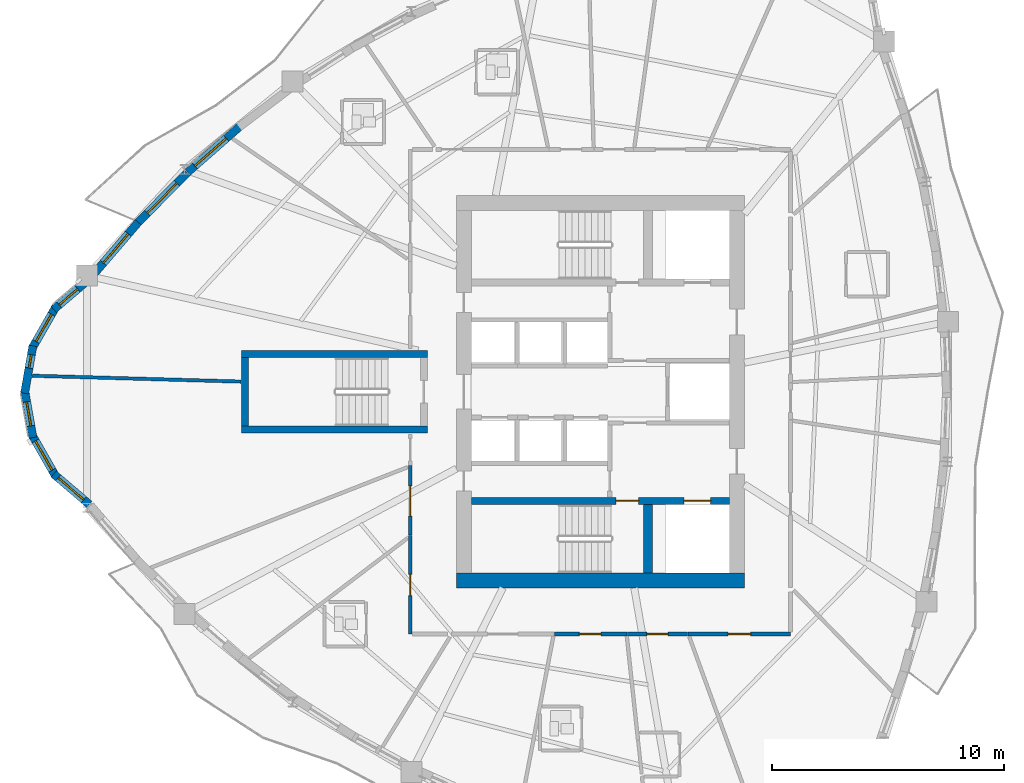
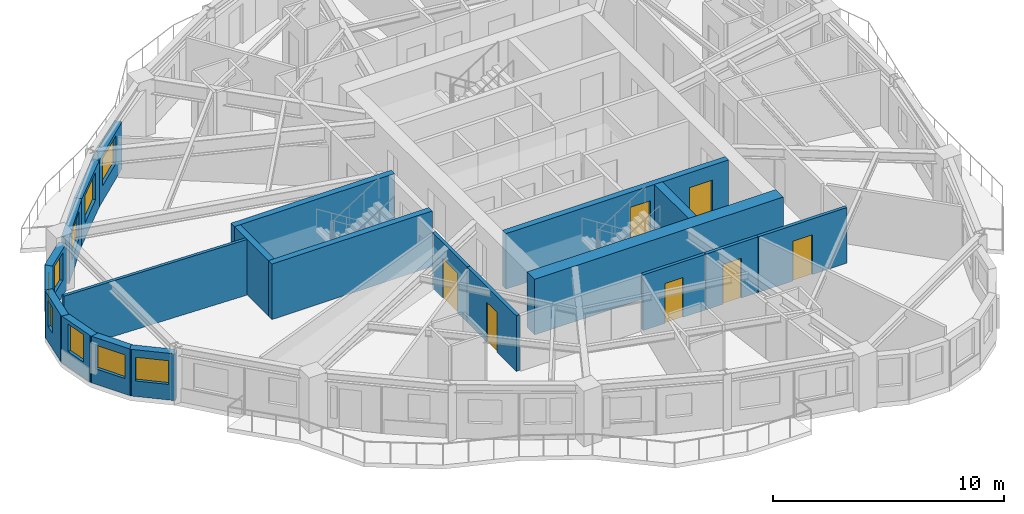
# One storey, part 4 of 12: 21 walls, 9 windows, 7 doors, 16 openings.
"""IFC4 building model written with IfcOpenShell, lengths in metres."""

from ifc_helpers import new_model, si_unit, direction, frame, frame_2d, origin, place, context, subcontext, project, spatial, rectangle, extrude, source, transform, mapped, material, layer, layer_set, type_object, element, fill, save


model = new_model("IFC4")

# Units and contexts
model_context = context("Model", 3, precision=1e-05, world=origin(), true_north=direction((0.0, 1.0)))
body_context = subcontext(model_context, "Body", "Model", "MODEL_VIEW")
ifc_project = project(units=[si_unit("LENGTHUNIT", "METRE"), si_unit("AREAUNIT", "SQUARE_METRE"), si_unit("VOLUMEUNIT", "CUBIC_METRE"), si_unit("PLANEANGLEUNIT", "RADIAN"), si_unit("MASSUNIT", "GRAM", prefix="KILO")], contexts=[model_context])

# Site, building, storey
site_placement = place(None, origin())
site = spatial("IfcSite", under=ifc_project, at=site_placement, CompositionType="ELEMENT")
building_placement = place(site_placement, origin())
building = spatial("IfcBuilding", under=site, at=building_placement, Name="Qafzar Sky-Pleat Residences", CompositionType="ELEMENT")
storey_placement = place(building_placement, frame((0.0, 0.0, 76.800048828125)))
storey = spatial("IfcBuildingStorey", under=building, at=storey_placement, Name="L22", CompositionType="ELEMENT", Elevation=76.800048828125)

# Wall, opening, door
ifc_material_1 = material(Name="Acoustic gypsum plasterboard partition", Category="gypsum")
ifc_layer_1 = layer(ifc_material_1, 0.159912109375)
ifc_layer_set_1 = layer_set([ifc_layer_1], Name="Acoustic gypsum plasterboard partition")
wall_type_1 = type_object("IfcWallType", Name="PART-COR-160", PredefinedType="PARTITIONING", material=ifc_layer_set_1)
wall_1_placement = place(storey_placement, frame((38.530029296875, 15.570068359375, 0.0), z_axis=(0.0, 0.0, 1.0), x_axis=(-1.0, 0.0, 0.0)))
wall_1 = element("IfcWall", 1, at=wall_1_placement, inside=storey, type_object=wall_type_1, Name="L22 Partition Wall PART-L22-PW-006", PredefinedType="PARTITIONING", context=body_context, shape_type="SweptSolid", body=[
    extrude(rectangle(XDim=4.412109375, YDim=0.159912109375, at=frame_2d((2.2060546875, 0.0))), origin(), (0.0, 0.0, 1.0), 2.93505859375),
])
opening_1_placement = place(wall_1_placement, frame((1.718017578125, 0.0, 0.0)))
opening_1 = element("IfcOpeningElement", 2, at=opening_1_placement, cuts=wall_1, Name="Opening ID-06", PredefinedType="OPENING", context=body_context, shape_type="SweptSolid", body=[
    extrude(rectangle(XDim=0.9599609375, YDim=2.10009765625, at=frame_2d((0.47998046875, 1.050048828125))), frame((0.0, 0.08984375, 0.0), z_axis=(0.0, -1.0, 0.0), x_axis=(1.0, 0.0, 0.0)), (0.0, 0.0, 1.0), 0.179931640625),
])
ifc_material_2 = material(Name="Timber-faced fire door", Category="wood")
door_type_1 = type_object("IfcDoorType", Name="DR-STD-960", OperationType="NOTDEFINED", PredefinedType="DOOR", material=ifc_material_2)
shared_shape_1 = source(origin(), body_context, "Body", "SweptSolid", [
    extrude(rectangle(XDim=0.9599609375, YDim=2.10009765625, at=frame_2d((0.47998046875, 1.050048828125))), frame((0.0, 0.02490234375, 0.0), z_axis=(0.0, -1.0, 0.0), x_axis=(1.0, 0.0, 0.0)), (0.0, 0.0, 1.0), 0.050048828125),
])
door_1_placement = place(opening_1_placement, origin())
door_1 = element("IfcDoor", 3, at=door_1_placement, inside=storey, type_object=door_type_1, Name="L22 Graduate Desk Workspace Door", OperationType="SINGLE_SWING_RIGHT", OverallHeight=2.10009765625, OverallWidth=0.9599609375, PredefinedType="DOOR", context=body_context, shape_type="MappedRepresentation", body=[
    mapped(shared_shape_1, transform((0.0, 0.0, 0.0), x_axis=(1.0, 0.0, 0.0), y_axis=(0.0, 1.0, 0.0), z_axis=(0.0, 0.0, 1.0), scale=1.0)),
])
fill(opening_1, door_1)

wall_2_placement = place(storey_placement, frame((22.169921875, 15.570068359375, 0.0), z_axis=(0.0, 0.0, 1.0), x_axis=(0.0, 1.0, 0.0)))
wall_2 = element("IfcWall", 4, at=wall_2_placement, inside=storey, type_object=wall_type_1, Name="L22 Partition Wall PART-L22-PW-007", PredefinedType="PARTITIONING", context=body_context, shape_type="SweptSolid", body=[
    extrude(rectangle(XDim=4.238037109375, YDim=0.159912109375, at=frame_2d((2.119140625, 0.0))), origin(), (0.0, 0.0, 1.0), 2.93505859375),
])
opening_2_placement = place(wall_2_placement, frame((1.6494140625, 0.0, 0.0)))
opening_2 = element("IfcOpeningElement", 5, at=opening_2_placement, cuts=wall_2, Name="Opening ID-04", PredefinedType="OPENING", context=body_context, shape_type="SweptSolid", body=[
    extrude(rectangle(XDim=0.919921875, YDim=2.10009765625, at=frame_2d((0.4599609375, 1.050048828125))), frame((0.0, 0.08984375, 0.0), z_axis=(0.0, -1.0, 0.0), x_axis=(1.0, 0.0, 0.0)), (0.0, 0.0, 1.0), 0.179931640625),
])
door_type_2 = type_object("IfcDoorType", Name="DR-BED-920", OperationType="NOTDEFINED", PredefinedType="DOOR", material=ifc_material_2)
shared_shape_2 = source(origin(), body_context, "Body", "SweptSolid", [
    extrude(rectangle(XDim=0.919921875, YDim=2.10009765625, at=frame_2d((0.4599609375, 1.050048828125))), frame((0.0, 0.02490234375, 0.0), z_axis=(0.0, -1.0, 0.0), x_axis=(1.0, 0.0, 0.0)), (0.0, 0.0, 1.0), 0.050048828125),
])
door_2_placement = place(opening_2_placement, origin())
door_2 = element("IfcDoor", 6, at=door_2_placement, inside=storey, type_object=door_type_2, Name="L22 Co-Living Bedroom 5 Door", OperationType="SINGLE_SWING_LEFT", OverallHeight=2.10009765625, OverallWidth=0.919921875, PredefinedType="DOOR", context=body_context, shape_type="MappedRepresentation", body=[
    mapped(shared_shape_2, transform((0.0, 0.0, 0.0), x_axis=(1.0, 0.0, 0.0), y_axis=(0.0, 1.0, 0.0), z_axis=(0.0, 0.0, 1.0), scale=1.0)),
])
fill(opening_2, door_2)

wall_3_placement = place(storey_placement, frame((31.491943359375, 15.570068359375, 0.0), z_axis=(0.0, 0.0, 1.0), x_axis=(-1.0, 0.0, 0.0)))
wall_3 = element("IfcWall", 7, at=wall_3_placement, inside=storey, type_object=wall_type_1, Name="L22 Partition Wall PART-L22-PW-010", PredefinedType="PARTITIONING", context=body_context, shape_type="SweptSolid", body=[
    extrude(rectangle(XDim=3.117919921875, YDim=0.159912109375, at=frame_2d((1.55908203125, 0.0))), origin(), (0.0, 0.0, 1.0), 2.93505859375),
])
opening_3_placement = place(wall_3_placement, frame((1.12158203125, 0.0, 0.0)))
opening_3 = element("IfcOpeningElement", 8, at=opening_3_placement, cuts=wall_3, Name="Opening ID-04", PredefinedType="OPENING", context=body_context, shape_type="SweptSolid", body=[
    extrude(rectangle(XDim=0.919921875, YDim=2.10009765625, at=frame_2d((0.4599609375, 1.050048828125))), frame((0.0, 0.08984375, 0.0), z_axis=(0.0, -1.0, 0.0), x_axis=(1.0, 0.0, 0.0)), (0.0, 0.0, 1.0), 0.179931640625),
])
door_3_placement = place(opening_3_placement, origin())
door_3 = element("IfcDoor", 9, at=door_3_placement, inside=storey, type_object=door_type_2, Name="L22 Co-Living Bedroom 6 Door", OperationType="SINGLE_SWING_RIGHT", OverallHeight=2.10009765625, OverallWidth=0.919921875, PredefinedType="DOOR", context=body_context, shape_type="MappedRepresentation", body=[
    mapped(shared_shape_2, transform((0.0, 0.0, 0.0), x_axis=(1.0, 0.0, 0.0), y_axis=(0.0, 1.0, 0.0), z_axis=(0.0, 0.0, 1.0), scale=1.0)),
])
fill(opening_3, door_3)

wall_4_placement = place(storey_placement, frame((22.169921875, 19.822998046875, 0.0), z_axis=(0.0, 0.0, 1.0), x_axis=(0.0, 1.0, 0.0)))
wall_4 = element("IfcWall", 10, at=wall_4_placement, inside=storey, type_object=wall_type_1, Name="L22 Partition Wall PART-L22-PW-012", PredefinedType="PARTITIONING", context=body_context, shape_type="SweptSolid", body=[
    extrude(rectangle(XDim=2.990966796875, YDim=0.159912109375, at=frame_2d((1.49560546875, 0.0))), origin(), (0.0, 0.0, 1.0), 2.93505859375),
])
opening_4_placement = place(wall_4_placement, frame((0.820556640625, 0.0, 0.0)))
opening_4 = element("IfcOpeningElement", 11, at=opening_4_placement, cuts=wall_4, Name="Opening ID-05", PredefinedType="OPENING", context=body_context, shape_type="SweptSolid", body=[
    extrude(rectangle(XDim=1.300048828125, YDim=2.10009765625, at=frame_2d((0.64990234375, 1.050048828125))), frame((0.0, 0.08984375, 0.0), z_axis=(0.0, -1.0, 0.0), x_axis=(1.0, 0.0, 0.0)), (0.0, 0.0, 1.0), 0.179931640625),
])
door_type_3 = type_object("IfcDoorType", Name="DR-LNG-1300", OperationType="DOUBLE_DOOR_SINGLE_SWING", PredefinedType="DOOR", material=ifc_material_2)
shared_shape_3 = source(origin(), body_context, "Body", "SweptSolid", [
    extrude(rectangle(XDim=1.300048828125, YDim=2.10009765625, at=frame_2d((0.64990234375, 1.050048828125))), frame((0.0, 0.02490234375, 0.0), z_axis=(0.0, -1.0, 0.0), x_axis=(1.0, 0.0, 0.0)), (0.0, 0.0, 1.0), 0.050048828125),
])
door_4_placement = place(opening_4_placement, origin())
door_4 = element("IfcDoor", 12, at=door_4_placement, inside=storey, type_object=door_type_3, Name="L22 Common Dining Room Door", OperationType="DOUBLE_DOOR_SINGLE_SWING", OverallHeight=2.10009765625, OverallWidth=1.300048828125, PredefinedType="DOOR", context=body_context, shape_type="MappedRepresentation", body=[
    mapped(shared_shape_3, transform((0.0, 0.0, 0.0), x_axis=(1.0, 0.0, 0.0), y_axis=(0.0, 1.0, 0.0), z_axis=(0.0, 0.0, 1.0), scale=1.0)),
])
fill(opening_4, door_4)

wall_5_placement = place(storey_placement, frame((34.10302734375, 15.570068359375, 0.0), z_axis=(0.0, 0.0, 1.0), x_axis=(-1.0, 0.0, 0.0)))
wall_5 = element("IfcWall", 13, at=wall_5_placement, inside=storey, type_object=wall_type_1, Name="L22 Partition Wall PART-L22-PW-013", PredefinedType="PARTITIONING", context=body_context, shape_type="SweptSolid", body=[
    extrude(rectangle(XDim=2.595947265625, YDim=0.159912109375, at=frame_2d((1.2978515625, 0.0))), origin(), (0.0, 0.0, 1.0), 2.93505859375),
])
opening_5_placement = place(wall_5_placement, frame((0.83740234375, 0.0, 0.0)))
opening_5 = element("IfcOpeningElement", 14, at=opening_5_placement, cuts=wall_5, Name="Opening ID-04", PredefinedType="OPENING", context=body_context, shape_type="SweptSolid", body=[
    extrude(rectangle(XDim=0.919921875, YDim=2.10009765625, at=frame_2d((0.4599609375, 1.050048828125))), frame((0.0, 0.08984375, 0.0), z_axis=(0.0, -1.0, 0.0), x_axis=(1.0, 0.0, 0.0)), (0.0, 0.0, 1.0), 0.179931640625),
])
door_5_placement = place(opening_5_placement, origin())
door_5 = element("IfcDoor", 15, at=door_5_placement, inside=storey, type_object=door_type_2, Name="L22 Co-Living Bedroom 7 Door", OperationType="SINGLE_SWING_LEFT", OverallHeight=2.10009765625, OverallWidth=0.919921875, PredefinedType="DOOR", context=body_context, shape_type="MappedRepresentation", body=[
    mapped(shared_shape_2, transform((0.0, 0.0, 0.0), x_axis=(1.0, 0.0, 0.0), y_axis=(0.0, 1.0, 0.0), z_axis=(0.0, 0.0, 1.0), scale=1.0)),
])
fill(opening_5, door_5)

# Wall
ifc_layer_2 = layer(ifc_material_1, 0.14501953125)
ifc_layer_set_2 = layer_set([ifc_layer_2], Name="Acoustic gypsum plasterboard partition")
wall_type_2 = type_object("IfcWallType", Name="PART-UNIT-145", PredefinedType="PARTITIONING", material=ifc_layer_set_2)
wall_6_placement = place(storey_placement, frame((5.8955078125, 26.688232421875, 0.0), z_axis=(0.0, 0.0, 1.0), x_axis=(0.999604843423, -0.028109731489, 0.0)))
element("IfcWall", 16, at=wall_6_placement, inside=storey, type_object=wall_type_2, Name="L22 Partition Wall PART-L22-PW-030", PredefinedType="PARTITIONING", context=body_context, shape_type="SweptSolid", body=[
    extrude(rectangle(XDim=8.998046875, YDim=0.14501953125, at=frame_2d((4.4990234375, 0.0))), origin(), (0.0, 0.0, 1.0), 2.93505859375),
])

# Wall, opening, window
ifc_material_3 = material(Name="Precast concrete C40/50 with honed Riyadh limestone", Category="concrete")
ifc_layer_3 = layer(ifc_material_3, 0.35009765625)
ifc_layer_set_3 = layer_set([ifc_layer_3], Name="Precast concrete C40/50 with honed Riyadh limestone")
wall_type_3 = type_object("IfcWallType", Name="WALL-EXT-350", PredefinedType="SOLIDWALL", material=ifc_layer_set_3)
wall_7_placement = place(storey_placement, frame((8.197998046875, 30.71728515625, 0.0), z_axis=(0.0, 0.0, 1.0), x_axis=(-0.761176639947, -0.648544618973, 0.0)))
wall_7 = element("IfcWall", 17, at=wall_7_placement, inside=storey, type_object=wall_type_3, Name="L22 Limestone Facade Wall 1", PredefinedType="SOLIDWALL", context=body_context, shape_type="SweptSolid", body=[
    extrude(rectangle(XDim=1.81005859375, YDim=0.35009765625, at=frame_2d((0.905029296875, 0.0))), origin(), (0.0, 0.0, 1.0), 2.46484375),
])
opening_6_placement = place(wall_7_placement, frame((0.455078125, 0.0, 0.820068359375)))
opening_6 = element("IfcOpeningElement", 18, at=opening_6_placement, cuts=wall_7, Name="Opening WN-06", PredefinedType="OPENING", context=body_context, shape_type="SweptSolid", body=[
    extrude(rectangle(XDim=1.050048828125, YDim=1.449951171875, at=frame_2d((0.52490234375, 0.72509765625))), frame((0.0, 0.18505859375, 0.0), z_axis=(0.0, -1.0, 0.0), x_axis=(1.0, 0.0, 0.0)), (0.0, 0.0, 1.0), 0.3701171875),
])
ifc_material_4 = material(Name="Solar-control low-E glass in bronze aluminium frame", Category="glass")
window_type_1 = type_object("IfcWindowType", Name="WIN-06", PartitioningType="SINGLE_PANEL", PredefinedType="WINDOW", material=ifc_material_4)
shared_shape_4 = source(origin(), body_context, "Body", "SweptSolid", [
    extrude(rectangle(XDim=1.050048828125, YDim=1.449951171875, at=frame_2d((0.52490234375, 0.72509765625))), frame((0.0, 0.030029296875, 0.0), z_axis=(0.0, -1.0, 0.0), x_axis=(1.0, 0.0, 0.0)), (0.0, 0.0, 1.0), 0.06005859375),
])
window_1_placement = place(opening_6_placement, origin())
window_1 = element("IfcWindow", 19, at=window_1_placement, inside=storey, type_object=window_type_1, Name="L22 Punched Facade Window 01", OverallHeight=1.449951171875, OverallWidth=1.050048828125, PartitioningType="SINGLE_PANEL", PredefinedType="WINDOW", context=body_context, shape_type="MappedRepresentation", body=[
    mapped(shared_shape_4, transform((0.0, 0.0, 0.0), x_axis=(1.0, 0.0, 0.0), y_axis=(0.0, 1.0, 0.0), z_axis=(0.0, 0.0, 1.0), scale=1.0)),
])
fill(opening_6, window_1)

wall_8_placement = place(storey_placement, frame((6.906494140625, 29.6474609375, 0.0), z_axis=(0.0, 0.0, 1.0), x_axis=(-0.496037473582, -0.868301114132, 0.0)))
wall_8 = element("IfcWall", 20, at=wall_8_placement, inside=storey, type_object=wall_type_3, Name="L22 Limestone Facade Wall 2", PredefinedType="SOLIDWALL", context=body_context, shape_type="SweptSolid", body=[
    extrude(rectangle(XDim=2.072998046875, YDim=0.35009765625, at=frame_2d((1.03662109375, 0.0))), origin(), (0.0, 0.0, 1.0), 2.46484375),
])
opening_7_placement = place(wall_8_placement, frame((0.361572265625, 0.0, 0.820068359375)))
opening_7 = element("IfcOpeningElement", 21, at=opening_7_placement, cuts=wall_8, Name="Opening WN-04", PredefinedType="OPENING", context=body_context, shape_type="SweptSolid", body=[
    extrude(rectangle(XDim=1.35009765625, YDim=1.449951171875, at=frame_2d((0.675048828125, 0.72509765625))), frame((0.0, 0.18505859375, 0.0), z_axis=(0.0, -1.0, 0.0), x_axis=(1.0, 0.0, 0.0)), (0.0, 0.0, 1.0), 0.3701171875),
])
window_type_2 = type_object("IfcWindowType", Name="WIN-04", PartitioningType="SINGLE_PANEL", PredefinedType="WINDOW", material=ifc_material_4)
shared_shape_5 = source(origin(), body_context, "Body", "SweptSolid", [
    extrude(rectangle(XDim=1.35009765625, YDim=1.449951171875, at=frame_2d((0.675048828125, 0.72509765625))), frame((0.0, 0.030029296875, 0.0), z_axis=(0.0, -1.0, 0.0), x_axis=(1.0, 0.0, 0.0)), (0.0, 0.0, 1.0), 0.06005859375),
])
window_2_placement = place(opening_7_placement, origin())
window_2 = element("IfcWindow", 22, at=window_2_placement, inside=storey, type_object=window_type_2, Name="L22 Punched Facade Window 02", OverallHeight=1.449951171875, OverallWidth=1.35009765625, PartitioningType="SINGLE_PANEL", PredefinedType="WINDOW", context=body_context, shape_type="MappedRepresentation", body=[
    mapped(shared_shape_5, transform((0.0, 0.0, 0.0), x_axis=(1.0, 0.0, 0.0), y_axis=(0.0, 1.0, 0.0), z_axis=(0.0, 0.0, 1.0), scale=1.0)),
])
fill(opening_7, window_2)

wall_9_placement = place(storey_placement, frame((5.923828125, 27.974609375, 0.0), z_axis=(0.0, 0.0, 1.0), x_axis=(-0.172166087538, -0.985067935881, 0.0)))
wall_9 = element("IfcWall", 23, at=wall_9_placement, inside=storey, type_object=wall_type_3, Name="L22 Limestone Facade Wall 3", PredefinedType="SOLIDWALL", context=body_context, shape_type="SweptSolid", body=[
    extrude(rectangle(XDim=2.0732421875, YDim=0.35009765625, at=frame_2d((1.03662109375, 0.0))), origin(), (0.0, 0.0, 1.0), 2.46484375),
])
opening_8_placement = place(wall_9_placement, frame((0.387939453125, 0.0, 0.820068359375)))
opening_8 = element("IfcOpeningElement", 24, at=opening_8_placement, cuts=wall_9, Name="Opening WN-17", PredefinedType="OPENING", context=body_context, shape_type="SweptSolid", body=[
    extrude(rectangle(XDim=0.580078125, YDim=1.35009765625, at=frame_2d((0.2900390625, 0.675048828125))), frame((0.0, 0.18505859375, 0.0), z_axis=(0.0, -1.0, 0.0), x_axis=(1.0, 0.0, 0.0)), (0.0, 0.0, 1.0), 0.3701171875),
])
window_type_3 = type_object("IfcWindowType", Name="WIN-17", PartitioningType="SINGLE_PANEL", PredefinedType="WINDOW", material=ifc_material_4)
shared_shape_6 = source(origin(), body_context, "Body", "SweptSolid", [
    extrude(rectangle(XDim=0.580078125, YDim=1.35009765625, at=frame_2d((0.2900390625, 0.675048828125))), frame((0.0, 0.030029296875, 0.0), z_axis=(0.0, -1.0, 0.0), x_axis=(1.0, 0.0, 0.0)), (0.0, 0.0, 1.0), 0.06005859375),
])
window_3_placement = place(opening_8_placement, origin())
window_3 = element("IfcWindow", 25, at=window_3_placement, inside=storey, type_object=window_type_3, Name="L22 Punched Facade Window 03", OverallHeight=1.35009765625, OverallWidth=0.580078125, PartitioningType="SINGLE_PANEL", PredefinedType="WINDOW", context=body_context, shape_type="MappedRepresentation", body=[
    mapped(shared_shape_6, transform((0.0, 0.0, 0.0), x_axis=(1.0, 0.0, 0.0), y_axis=(0.0, 1.0, 0.0), z_axis=(0.0, 0.0, 1.0), scale=1.0)),
])
fill(opening_8, window_3)

wall_10_placement = place(storey_placement, frame((5.56689453125, 26.067626953125, 0.0), z_axis=(0.0, 0.0, 1.0), x_axis=(0.172166087538, -0.985067935881, 0.0)))
wall_10 = element("IfcWall", 26, at=wall_10_placement, inside=storey, type_object=wall_type_3, Name="L22 Limestone Facade Wall 4", PredefinedType="SOLIDWALL", context=body_context, shape_type="SweptSolid", body=[
    extrude(rectangle(XDim=2.0732421875, YDim=0.35009765625, at=frame_2d((1.03662109375, 0.0))), origin(), (0.0, 0.0, 1.0), 2.46484375),
])
opening_9_placement = place(wall_10_placement, frame((0.511474609375, 0.0, 0.820068359375)))
opening_9 = element("IfcOpeningElement", 27, at=opening_9_placement, cuts=wall_10, Name="Opening WN-06", PredefinedType="OPENING", context=body_context, shape_type="SweptSolid", body=[
    extrude(rectangle(XDim=1.050048828125, YDim=1.449951171875, at=frame_2d((0.52490234375, 0.72509765625))), frame((0.0, 0.18505859375, 0.0), z_axis=(0.0, -1.0, 0.0), x_axis=(1.0, 0.0, 0.0)), (0.0, 0.0, 1.0), 0.3701171875),
])
window_4_placement = place(opening_9_placement, origin())
window_4 = element("IfcWindow", 28, at=window_4_placement, inside=storey, type_object=window_type_1, Name="L22 Punched Facade Window 04", OverallHeight=1.449951171875, OverallWidth=1.050048828125, PartitioningType="SINGLE_PANEL", PredefinedType="WINDOW", context=body_context, shape_type="MappedRepresentation", body=[
    mapped(shared_shape_4, transform((0.0, 0.0, 0.0), x_axis=(1.0, 0.0, 0.0), y_axis=(0.0, 1.0, 0.0), z_axis=(0.0, 0.0, 1.0), scale=1.0)),
])
fill(opening_9, window_4)

wall_11_placement = place(storey_placement, frame((5.878173828125, 24.152587890625, 0.0), z_axis=(0.0, 0.0, 1.0), x_axis=(0.496037473582, -0.868301114132, 0.0)))
wall_11 = element("IfcWall", 29, at=wall_11_placement, inside=storey, type_object=wall_type_3, Name="L22 Limestone Facade Wall 5", PredefinedType="SOLIDWALL", context=body_context, shape_type="SweptSolid", body=[
    extrude(rectangle(XDim=2.072998046875, YDim=0.35009765625, at=frame_2d((1.03662109375, 0.0))), origin(), (0.0, 0.0, 1.0), 2.46484375),
])
opening_10_placement = place(wall_11_placement, frame((0.3115234375, 0.0, 0.820068359375)))
opening_10 = element("IfcOpeningElement", 30, at=opening_10_placement, cuts=wall_11, Name="Opening WN-15", PredefinedType="OPENING", context=body_context, shape_type="SweptSolid", body=[
    extrude(rectangle(XDim=1.449951171875, YDim=1.25, at=frame_2d((0.72509765625, 0.625))), frame((0.0, 0.18505859375, 0.0), z_axis=(0.0, -1.0, 0.0), x_axis=(1.0, 0.0, 0.0)), (0.0, 0.0, 1.0), 0.3701171875),
])
window_type_4 = type_object("IfcWindowType", Name="WIN-15", PartitioningType="SINGLE_PANEL", PredefinedType="WINDOW", material=ifc_material_4)
shared_shape_7 = source(origin(), body_context, "Body", "SweptSolid", [
    extrude(rectangle(XDim=1.449951171875, YDim=1.25, at=frame_2d((0.72509765625, 0.625))), frame((0.0, 0.030029296875, 0.0), z_axis=(0.0, -1.0, 0.0), x_axis=(1.0, 0.0, 0.0)), (0.0, 0.0, 1.0), 0.06005859375),
])
window_5_placement = place(opening_10_placement, origin())
window_5 = element("IfcWindow", 31, at=window_5_placement, inside=storey, type_object=window_type_4, Name="L22 Punched Facade Window 05", OverallHeight=1.25, OverallWidth=1.449951171875, PartitioningType="SINGLE_PANEL", PredefinedType="WINDOW", context=body_context, shape_type="MappedRepresentation", body=[
    mapped(shared_shape_7, transform((0.0, 0.0, 0.0), x_axis=(1.0, 0.0, 0.0), y_axis=(0.0, 1.0, 0.0), z_axis=(0.0, 0.0, 1.0), scale=1.0)),
])
fill(opening_10, window_5)

wall_12_placement = place(storey_placement, frame((6.8203125, 22.45654296875, 0.0), z_axis=(0.0, 0.0, 1.0), x_axis=(0.76114353683, -0.648583469063, 0.0)))
wall_12 = element("IfcWall", 32, at=wall_12_placement, inside=storey, type_object=wall_type_3, Name="L22 Limestone Facade Wall 6", PredefinedType="SOLIDWALL", context=body_context, shape_type="SweptSolid", body=[
    extrude(rectangle(XDim=2.014892578125, YDim=0.35009765625, at=frame_2d((1.00732421875, 0.0))), origin(), (0.0, 0.0, 1.0), 2.46484375),
])
opening_11_placement = place(wall_12_placement, frame((0.25244140625, 0.0, 0.820068359375)))
opening_11 = element("IfcOpeningElement", 33, at=opening_11_placement, cuts=wall_12, Name="Opening WN-15", PredefinedType="OPENING", context=body_context, shape_type="SweptSolid", body=[
    extrude(rectangle(XDim=1.449951171875, YDim=1.25, at=frame_2d((0.72509765625, 0.625))), frame((0.0, 0.18505859375, 0.0), z_axis=(0.0, -1.0, 0.0), x_axis=(1.0, 0.0, 0.0)), (0.0, 0.0, 1.0), 0.3701171875),
])
window_6_placement = place(opening_11_placement, origin())
window_6 = element("IfcWindow", 34, at=window_6_placement, inside=storey, type_object=window_type_4, Name="L22 Punched Facade Window 06", OverallHeight=1.25, OverallWidth=1.449951171875, PartitioningType="SINGLE_PANEL", PredefinedType="WINDOW", context=body_context, shape_type="MappedRepresentation", body=[
    mapped(shared_shape_7, transform((0.0, 0.0, 0.0), x_axis=(1.0, 0.0, 0.0), y_axis=(0.0, 1.0, 0.0), z_axis=(0.0, 0.0, 1.0), scale=1.0)),
])
fill(opening_11, window_6)

wall_13_placement = place(storey_placement, frame((14.864990234375, 37.44970703125, 0.0), z_axis=(0.0, 0.0, 1.0), x_axis=(-0.751505335107, -0.659727012715, 0.0)))
wall_13 = element("IfcWall", 35, at=wall_13_placement, inside=storey, type_object=wall_type_3, Name="L22 Limestone Facade Wall 46", PredefinedType="SOLIDWALL", context=body_context, shape_type="SweptSolid", body=[
    extrude(rectangle(XDim=3.037841796875, YDim=0.35009765625, at=frame_2d((1.51904296875, 0.0))), origin(), (0.0, 0.0, 1.0), 2.46484375),
])
opening_12_placement = place(wall_13_placement, frame((0.826416015625, 0.0, 0.820068359375)))
opening_12 = element("IfcOpeningElement", 36, at=opening_12_placement, cuts=wall_13, Name="Opening WN-01", PredefinedType="OPENING", context=body_context, shape_type="SweptSolid", body=[
    extrude(rectangle(XDim=1.800048828125, YDim=1.449951171875, at=frame_2d((0.89990234375, 0.72509765625))), frame((0.0, 0.18505859375, 0.0), z_axis=(0.0, -1.0, 0.0), x_axis=(1.0, 0.0, 0.0)), (0.0, 0.0, 1.0), 0.3701171875),
])
window_type_5 = type_object("IfcWindowType", Name="WIN-01", PartitioningType="DOUBLE_PANEL_VERTICAL", PredefinedType="WINDOW", material=ifc_material_4)
shared_shape_8 = source(origin(), body_context, "Body", "SweptSolid", [
    extrude(rectangle(XDim=1.800048828125, YDim=1.449951171875, at=frame_2d((0.89990234375, 0.72509765625))), frame((0.0, 0.030029296875, 0.0), z_axis=(0.0, -1.0, 0.0), x_axis=(1.0, 0.0, 0.0)), (0.0, 0.0, 1.0), 0.06005859375),
])
window_7_placement = place(opening_12_placement, origin())
window_7 = element("IfcWindow", 37, at=window_7_placement, inside=storey, type_object=window_type_5, Name="L22 Punched Facade Window 46-2", OverallHeight=1.449951171875, OverallWidth=1.800048828125, PartitioningType="SINGLE_PANEL", PredefinedType="WINDOW", context=body_context, shape_type="MappedRepresentation", body=[
    mapped(shared_shape_8, transform((0.0, 0.0, 0.0), x_axis=(1.0, 0.0, 0.0), y_axis=(0.0, 1.0, 0.0), z_axis=(0.0, 0.0, 1.0), scale=1.0)),
])
fill(opening_12, window_7)

wall_14_placement = place(storey_placement, frame((12.56201171875, 35.4267578125, 0.0), z_axis=(0.0, 0.0, 1.0), x_axis=(-0.701949387032, -0.712226830473, 0.0)))
wall_14 = element("IfcWall", 38, at=wall_14_placement, inside=storey, type_object=wall_type_3, Name="L22 Limestone Facade Wall 47", PredefinedType="SOLIDWALL", context=body_context, shape_type="SweptSolid", body=[
    extrude(rectangle(XDim=3.088134765625, YDim=0.35009765625, at=frame_2d((1.5439453125, 0.0))), origin(), (0.0, 0.0, 1.0), 2.46484375),
])
opening_13_placement = place(wall_14_placement, frame((0.634033203125, 0.0, 0.820068359375)))
opening_13 = element("IfcOpeningElement", 39, at=opening_13_placement, cuts=wall_14, Name="Opening WN-01", PredefinedType="OPENING", context=body_context, shape_type="SweptSolid", body=[
    extrude(rectangle(XDim=1.800048828125, YDim=1.449951171875, at=frame_2d((0.89990234375, 0.72509765625))), frame((0.0, 0.18505859375, 0.0), z_axis=(0.0, -1.0, 0.0), x_axis=(1.0, 0.0, 0.0)), (0.0, 0.0, 1.0), 0.3701171875),
])
window_8_placement = place(opening_13_placement, origin())
window_8 = element("IfcWindow", 40, at=window_8_placement, inside=storey, type_object=window_type_5, Name="L22 Punched Facade Window 47", OverallHeight=1.449951171875, OverallWidth=1.800048828125, PartitioningType="SINGLE_PANEL", PredefinedType="WINDOW", context=body_context, shape_type="MappedRepresentation", body=[
    mapped(shared_shape_8, transform((0.0, 0.0, 0.0), x_axis=(1.0, 0.0, 0.0), y_axis=(0.0, 1.0, 0.0), z_axis=(0.0, 0.0, 1.0), scale=1.0)),
])
fill(opening_13, window_8)

wall_15_placement = place(storey_placement, frame((10.4541015625, 33.292236328125, 0.0), z_axis=(0.0, 0.0, 1.0), x_axis=(-0.650791373456, -0.759256602365, 0.0)))
wall_15 = element("IfcWall", 41, at=wall_15_placement, inside=storey, type_object=wall_type_3, Name="L22 Limestone Facade Wall 48", PredefinedType="SOLIDWALL", context=body_context, shape_type="SweptSolid", body=[
    extrude(rectangle(XDim=2.94873046875, YDim=0.35009765625, at=frame_2d((1.474365234375, 0.0))), origin(), (0.0, 0.0, 1.0), 2.46484375),
])
opening_14_placement = place(wall_15_placement, frame((0.654296875, 0.0, 0.820068359375)))
opening_14 = element("IfcOpeningElement", 42, at=opening_14_placement, cuts=wall_15, Name="Opening WN-02", PredefinedType="OPENING", context=body_context, shape_type="SweptSolid", body=[
    extrude(rectangle(XDim=1.64990234375, YDim=1.449951171875, at=frame_2d((0.824951171875, 0.72509765625))), frame((0.0, 0.18505859375, 0.0), z_axis=(0.0, -1.0, 0.0), x_axis=(1.0, 0.0, 0.0)), (0.0, 0.0, 1.0), 0.3701171875),
])
window_type_6 = type_object("IfcWindowType", Name="WIN-02", PartitioningType="DOUBLE_PANEL_VERTICAL", PredefinedType="WINDOW", material=ifc_material_4)
shared_shape_9 = source(origin(), body_context, "Body", "SweptSolid", [
    extrude(rectangle(XDim=1.64990234375, YDim=1.449951171875, at=frame_2d((0.824951171875, 0.72509765625))), frame((0.0, 0.030029296875, 0.0), z_axis=(0.0, -1.0, 0.0), x_axis=(1.0, 0.0, 0.0)), (0.0, 0.0, 1.0), 0.06005859375),
])
window_9_placement = place(opening_14_placement, origin())
window_9 = element("IfcWindow", 43, at=window_9_placement, inside=storey, type_object=window_type_6, Name="L22 Punched Facade Window 48", OverallHeight=1.449951171875, OverallWidth=1.64990234375, PartitioningType="SINGLE_PANEL", PredefinedType="WINDOW", context=body_context, shape_type="MappedRepresentation", body=[
    mapped(shared_shape_9, transform((0.0, 0.0, 0.0), x_axis=(1.0, 0.0, 0.0), y_axis=(0.0, 1.0, 0.0), z_axis=(0.0, 0.0, 1.0), scale=1.0)),
])
fill(opening_14, window_9)

# Wall, openings, doors
ifc_material_5 = material(Name="Concrete C60/75", Category="concrete")
ifc_layer_4 = layer(ifc_material_5, 0.300048828125)
ifc_layer_set_4 = layer_set([ifc_layer_4], Name="Concrete C60/75")
wall_type_4 = type_object("IfcWallType", Name="WALL-SHEAR-300", PredefinedType="SHEAR", material=ifc_layer_set_4)
wall_16_placement = place(storey_placement, frame((24.800048828125, 21.300048828125, 0.0), z_axis=(0.0, 0.0, 1.0), x_axis=(1.0, 0.0, 0.0)))
wall_16 = element("IfcWall", 44, at=wall_16_placement, inside=storey, type_object=wall_type_4, Name="L22 Stair ST1 and FF1 Shaft North Wall", PredefinedType="SHEAR", context=body_context, shape_type="SweptSolid", body=[
    extrude(rectangle(XDim=11.099853515625, YDim=0.300048828125, at=frame_2d((5.5498046875, 0.0))), origin(), (0.0, 0.0, 1.0), 2.93505859375),
])
opening_15_placement = place(wall_16_placement, frame((6.219970703125, 0.0, 0.0)))
opening_15 = element("IfcOpeningElement", 45, at=opening_15_placement, cuts=wall_16, Name="Opening ID-01", PredefinedType="OPENING", context=body_context, shape_type="SweptSolid", body=[
    extrude(rectangle(XDim=0.97998046875, YDim=2.14990234375, at=frame_2d((0.489990234375, 1.074951171875))), frame((0.0, 0.16015625, 0.0), z_axis=(0.0, -1.0, 0.0), x_axis=(1.0, 0.0, 0.0)), (0.0, 0.0, 1.0), 0.320068359375),
])
opening_16_placement = place(wall_16_placement, frame((9.14990234375, 0.0, 0.0)))
opening_16 = element("IfcOpeningElement", 46, at=opening_16_placement, cuts=wall_16, Name="Opening LD-02", PredefinedType="OPENING", context=body_context, shape_type="SweptSolid", body=[
    extrude(rectangle(XDim=1.14990234375, YDim=2.14990234375, at=frame_2d((0.574951171875, 1.074951171875))), frame((0.0, 0.16015625, 0.0), z_axis=(0.0, -1.0, 0.0), x_axis=(1.0, 0.0, 0.0)), (0.0, 0.0, 1.0), 0.320068359375),
])
door_type_4 = type_object("IfcDoorType", Name="DR-STAIR-980", OperationType="NOTDEFINED", PredefinedType="DOOR", material=ifc_material_2)
shared_shape_10 = source(origin(), body_context, "Body", "SweptSolid", [
    extrude(rectangle(XDim=0.97998046875, YDim=2.14990234375, at=frame_2d((0.489990234375, 1.074951171875))), frame((0.0, 0.02490234375, 0.0), z_axis=(0.0, -1.0, 0.0), x_axis=(1.0, 0.0, 0.0)), (0.0, 0.0, 1.0), 0.050048828125),
])
door_6_placement = place(opening_15_placement, origin())
door_6 = element("IfcDoor", 47, at=door_6_placement, inside=storey, type_object=door_type_4, Name="L22 Stair ST1 Fire Door", OperationType="SINGLE_SWING_LEFT", OverallHeight=2.14990234375, OverallWidth=0.97998046875, PredefinedType="DOOR", context=body_context, shape_type="MappedRepresentation", body=[
    mapped(shared_shape_10, transform((0.0, 0.0, 0.0), x_axis=(1.0, 0.0, 0.0), y_axis=(0.0, 1.0, 0.0), z_axis=(0.0, 0.0, 1.0), scale=1.0)),
])
fill(opening_15, door_6)
ifc_material_6 = material(Name="Stainless steel sliding landing door", Category="steel")
door_type_5 = type_object("IfcDoorType", Name="DR-LIFT-FF", OperationType="DOUBLE_DOOR_SLIDING", PredefinedType="DOOR", material=ifc_material_6)
shared_shape_11 = source(origin(), body_context, "Body", "SweptSolid", [
    extrude(rectangle(XDim=1.14990234375, YDim=2.14990234375, at=frame_2d((0.574951171875, 1.074951171875))), frame((0.0, 0.02490234375, 0.0), z_axis=(0.0, -1.0, 0.0), x_axis=(1.0, 0.0, 0.0)), (0.0, 0.0, 1.0), 0.050048828125),
])
door_7_placement = place(opening_16_placement, origin())
door_7 = element("IfcDoor", 48, at=door_7_placement, inside=storey, type_object=door_type_5, Name="L22 Firefighting Lift FF1 Landing Door", OperationType="DOUBLE_DOOR_SLIDING", OverallHeight=2.14990234375, OverallWidth=1.14990234375, PredefinedType="DOOR", context=body_context, shape_type="MappedRepresentation", body=[
    mapped(shared_shape_11, transform((0.0, 0.0, 0.0), x_axis=(1.0, 0.0, 0.0), y_axis=(0.0, 1.0, 0.0), z_axis=(0.0, 0.0, 1.0), scale=1.0)),
])
fill(opening_16, door_7)

# Walls
for number, where, z_axis, x_axis, name in (
    (49, (14.89990234375, 24.375, 0.0), (0.0, 0.0, 1.0), (1.0, 0.0, 0.0), "L22 ST3 wall S"),
    (50, (22.89990234375, 27.625, 0.0), (0.0, 0.0, 1.0), (-1.0, 0.0, 0.0), "L22 ST3 wall N"),
):
    element("IfcWall", number, at=place(storey_placement, frame(where, z_axis=z_axis, x_axis=x_axis)), inside=storey, type_object=wall_type_4, Name=name, PredefinedType="SHEAR", context=body_context, shape_type="SweptSolid", body=[
        extrude(rectangle(XDim=8.0, YDim=0.300048828125, at=frame_2d((4.0, 0.0))), origin(), (0.0, 0.0, 1.0), 2.93505859375),
    ])
wall_17_placement = place(storey_placement, frame((15.050048828125, 27.47509765625, 0.0), z_axis=(0.0, 0.0, 1.0), x_axis=(0.0, -1.0, 0.0)))
element("IfcWall", 51, at=wall_17_placement, inside=storey, type_object=wall_type_4, Name="L22 ST3 wall W", PredefinedType="SHEAR", context=body_context, shape_type="SweptSolid", body=[
    extrude(rectangle(XDim=2.9501953125, YDim=0.300048828125, at=frame_2d((1.47509765625, 0.0))), origin(), (0.0, 0.0, 1.0), 2.93505859375),
])
ifc_layer_5 = layer(ifc_material_5, 0.39990234375)
ifc_layer_set_5 = layer_set([ifc_layer_5], Name="Concrete C60/75")
wall_type_5 = type_object("IfcWallType", Name="WALL-SHEAR-400", PredefinedType="SHEAR", material=ifc_layer_set_5)
wall_18_placement = place(storey_placement, frame((32.39990234375, 18.199951171875, 0.0), z_axis=(0.0, 0.0, 1.0), x_axis=(0.0, 1.0, 0.0)))
element("IfcWall", 52, at=wall_18_placement, inside=storey, type_object=wall_type_5, Name="L22 Stair ST1 East Dividing Wall", PredefinedType="SHEAR", context=body_context, shape_type="SweptSolid", body=[
    extrude(rectangle(XDim=2.949951171875, YDim=0.39990234375, at=frame_2d((1.47509765625, 0.0))), origin(), (0.0, 0.0, 1.0), 2.93505859375),
])
ifc_layer_6 = layer(ifc_material_5, 0.64990234375)
ifc_layer_set_6 = layer_set([ifc_layer_6], Name="Concrete C60/75")
wall_type_6 = type_object("IfcWallType", Name="WALL-SHEAR-650", PredefinedType="SHEAR", material=ifc_layer_set_6)
wall_19_placement = place(storey_placement, frame((24.14990234375, 17.875, 0.0), z_axis=(0.0, 0.0, 1.0), x_axis=(1.0, 0.0, 0.0)))
element("IfcWall", 53, at=wall_19_placement, inside=storey, type_object=wall_type_6, Name="L22 CORE wall S", PredefinedType="SHEAR", context=body_context, shape_type="SweptSolid", body=[
    extrude(rectangle(XDim=12.400146484375, YDim=0.64990234375, at=frame_2d((6.2001953125, 0.0))), origin(), (0.0, 0.0, 1.0), 2.93505859375),
])

save(model, "model.ifc")
